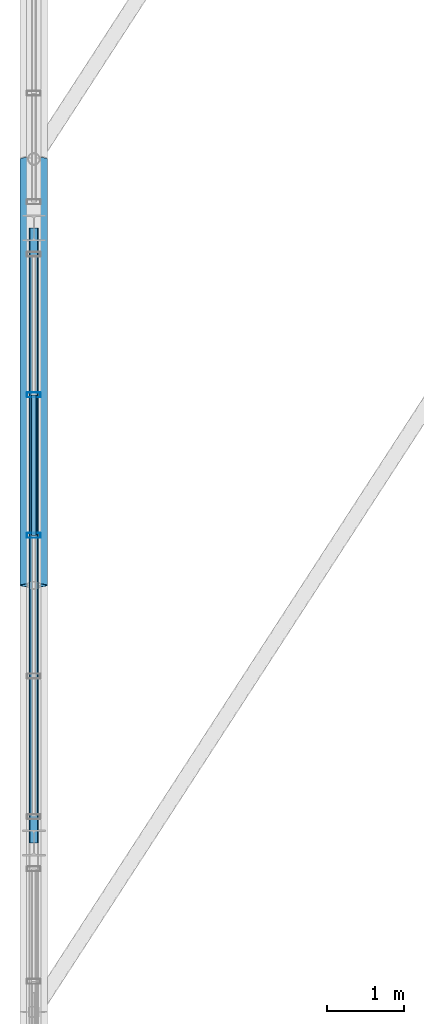
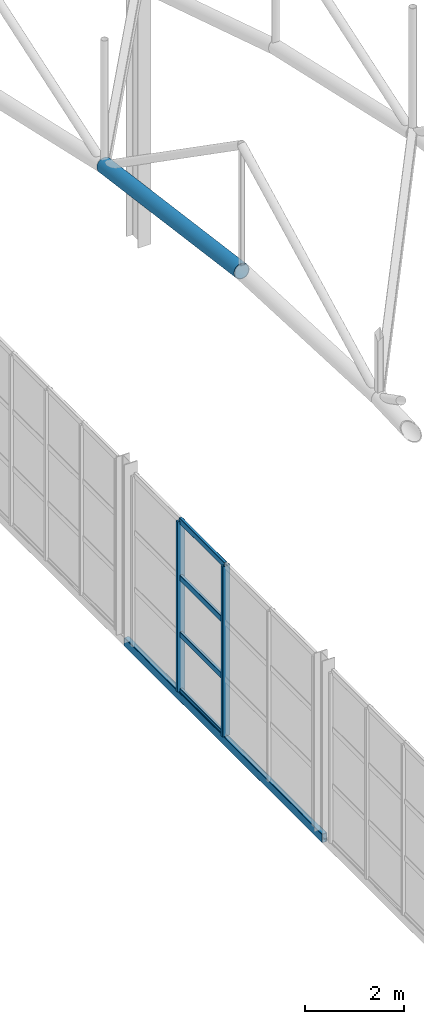
# One storey, part 45 of 153: 7 members, 1 beam, 1 element without a shape of its own.
"""IFC4 building model written with IfcOpenShell, lengths in metres."""

from ifc_helpers import new_model, si_unit, derived_unit, direction, frame, origin, origin_2d, place, context, subcontext, project, spatial, hollow_rectangle, hollow_circle, extrude, material, material_profile, profile_set, type_object, element, aggregate, save


model = new_model("IFC4")

# Units and contexts
model_context = context("Model", 3, precision=1e-05, world=origin(), true_north=direction((0.0, 1.0)))
body_context = subcontext(model_context, "Body", "Model", "MODEL_VIEW")
ifc_project = project(units=[si_unit("LENGTHUNIT", "METRE"), si_unit("AREAUNIT", "SQUARE_METRE"), si_unit("VOLUMEUNIT", "CUBIC_METRE"), si_unit("PLANEANGLEUNIT", "RADIAN"), si_unit("MASSUNIT", "GRAM", prefix="KILO"), derived_unit("THERMALTRANSMITTANCEUNIT", [(si_unit("POWERUNIT", "WATT"), 1), (si_unit("LENGTHUNIT", "METRE"), -2), (si_unit("THERMODYNAMICTEMPERATUREUNIT", "KELVIN"), -1)])], contexts=[model_context])

# Site, building, storey
site_placement = place(None, origin())
site = spatial("IfcSite", under=ifc_project, at=site_placement, CompositionType="ELEMENT")
building_placement = place(site_placement, origin())
building = spatial("IfcBuilding", under=site, at=building_placement, Name="Keldorne Ridge Multi-Sports Centre", CompositionType="ELEMENT")
storey_placement = place(building_placement, frame((0.0, 0.0, 9.60009765625)))
storey = spatial("IfcBuildingStorey", under=building, at=storey_placement, Name="L02", CompositionType="ELEMENT", Elevation=9.60009765625)

# Beam
ifc_material_1 = material(Name="Steel S355", Category="steel")
ifc_material_profile_1 = material_profile(ifc_material_1, hollow_rectangle(XDim=0.1201171875, YDim=0.219970703125, WallThickness=0.010009765625, InnerFilletRadius=0.010009765625, OuterFilletRadius=0.02001953125, at=origin_2d()), Name="RHS 220x120x10")
ifc_profile_set_1 = profile_set([ifc_material_profile_1], Name="Steel S355")
beam_type = type_object("IfcBeamType", Name="BM-SP-07", PredefinedType="SPANDREL", material=ifc_profile_set_1)
beam_placement = place(storey_placement, frame((6.0, 34.0, -0.110107421875), z_axis=(0.0, 1.0, 0.0), x_axis=(-1.0, 0.0, 0.0)))
element("IfcBeam", 1, at=beam_placement, inside=storey, type_object=beam_type, Name="Main Hall west gable spandrel L02.4", PredefinedType="SPANDREL", context=body_context, shape_type="SweptSolid", body=[
    extrude(hollow_rectangle(XDim=0.1201171875, YDim=0.219970703125, WallThickness=0.010009765625, InnerFilletRadius=0.010009765625, OuterFilletRadius=0.02001953125, at=origin_2d()), origin(), (0.0, 0.0, 1.0), 8.0),
])

# Curtain wall, members
ifc_material_2 = material(Name="Anodized aluminium", Category="aluminium")
curtain_wall_type = type_object("IfcCurtainWallType", Name="CW-CW-08", PredefinedType="NOTDEFINED", material=ifc_material_2)
curtain_wall_placement = place(storey_placement, origin())
curtain_wall = element("IfcCurtainWall", 2, at=curtain_wall_placement, inside=storey, type_object=curtain_wall_type, Name="Main Hall west high gable glazing 032", PredefinedType="NOTDEFINED")
ifc_material_profile_2 = material_profile(ifc_material_2, hollow_rectangle(XDim=0.06494140625, YDim=0.179931640625, WallThickness=0.00439453125, InnerFilletRadius=0.00439453125, OuterFilletRadius=0.009033203125, at=origin_2d()), Name="ALU MULLION 180x65x4.5")
ifc_profile_set_2 = profile_set([ifc_material_profile_2], Name="Anodized aluminium")
member_type_1 = type_object("IfcMemberType", Name="MEM-ML-01", PredefinedType="MULLION", material=ifc_profile_set_2)
member_1_placement = place(storey_placement, frame((6.0, 39.830078125, 0.0), z_axis=(0.0, 0.0, 1.0), x_axis=(0.0, 1.0, 0.0)))
member_1 = element("IfcMember", 3, at=member_1_placement, type_object=member_type_1, Name="CW-032 vertical mullion 2", PredefinedType="MULLION", context=body_context, shape_type="SweptSolid", body=[
    extrude(hollow_rectangle(XDim=0.06494140625, YDim=0.179931640625, WallThickness=0.00439453125, InnerFilletRadius=0.00439453125, OuterFilletRadius=0.009033203125, at=origin_2d()), origin(), (0.0, 0.0, 1.0), 4.199951171875),
])
member_2_placement = place(storey_placement, frame((6.0, 38.0, 0.0), z_axis=(0.0, 0.0, 1.0), x_axis=(0.0, 1.0, 0.0)))
member_2 = element("IfcMember", 4, at=member_2_placement, type_object=member_type_1, Name="CW-032 vertical mullion 3", PredefinedType="MULLION", context=body_context, shape_type="SweptSolid", body=[
    extrude(hollow_rectangle(XDim=0.06494140625, YDim=0.179931640625, WallThickness=0.00439453125, InnerFilletRadius=0.00439453125, OuterFilletRadius=0.009033203125, at=origin_2d()), origin(), (0.0, 0.0, 1.0), 4.199951171875),
])

# Member
ifc_material_profile_3 = material_profile(ifc_material_1, hollow_circle(Radius=0.177734375, WallThickness=0.01611328125, at=origin_2d()), Name="CHS 355.6x16")
ifc_profile_set_3 = profile_set([ifc_material_profile_3], Name="Steel S355")
member_type_2 = type_object("IfcMemberType", Name="MEM-TC-01", PredefinedType="CHORD", material=ifc_profile_set_3)
member_3_placement = place(storey_placement, frame((6.0, 37.35009765625, 11.849853515625), z_axis=(0.0, 0.990991804939, -0.133922524405), x_axis=(-1.0, 0.0, 0.0)))
element("IfcMember", 5, at=member_3_placement, inside=storey, type_object=member_type_2, Name="Main Hall ROOF TRUSS AT-01 bottom chord 6", PredefinedType="CHORD", context=body_context, shape_type="SweptSolid", body=[
    extrude(hollow_circle(Radius=0.177734375, WallThickness=0.01611328125, at=origin_2d()), origin(), (0.0, 0.0, 1.0), 5.600341796875),
])

ifc_material_profile_4 = material_profile(ifc_material_2, hollow_rectangle(XDim=0.06494140625, YDim=0.139892578125, WallThickness=0.00439453125, InnerFilletRadius=0.00439453125, OuterFilletRadius=0.009033203125, at=origin_2d()), Name="ALU TRANSOM 140x65x4.5")
ifc_profile_set_4 = profile_set([ifc_material_profile_4], Name="Anodized aluminium")
member_type_3 = type_object("IfcMemberType", Name="MEM-TR-01", PredefinedType="USERDEFINED", material=ifc_profile_set_4)
member_4_placement = place(storey_placement, frame((6.0, 39.830078125, 0.0), z_axis=(0.0, -1.0, 0.0), x_axis=(1.0, 0.0, 0.0)))
member_4 = element("IfcMember", 6, at=member_4_placement, type_object=member_type_3, Name="CW-032 transom 2.1", ObjectType="TRANSOM", PredefinedType="USERDEFINED", context=body_context, shape_type="SweptSolid", body=[
    extrude(hollow_rectangle(XDim=0.06494140625, YDim=0.139892578125, WallThickness=0.00439453125, InnerFilletRadius=0.00439453125, OuterFilletRadius=0.009033203125, at=origin_2d()), origin(), (0.0, 0.0, 1.0), 1.830078125),
])

member_5_placement = place(storey_placement, frame((6.0, 39.830078125, 1.39990234375), z_axis=(0.0, -1.0, 0.0), x_axis=(1.0, 0.0, 0.0)))
member_5 = element("IfcMember", 7, at=member_5_placement, type_object=member_type_3, Name="CW-032 transom 2.2", ObjectType="TRANSOM", PredefinedType="USERDEFINED", context=body_context, shape_type="SweptSolid", body=[
    extrude(hollow_rectangle(XDim=0.06494140625, YDim=0.139892578125, WallThickness=0.00439453125, InnerFilletRadius=0.00439453125, OuterFilletRadius=0.009033203125, at=origin_2d()), origin(), (0.0, 0.0, 1.0), 1.830078125),
])

member_6_placement = place(storey_placement, frame((6.0, 39.830078125, 2.7998046875), z_axis=(0.0, -1.0, 0.0), x_axis=(1.0, 0.0, 0.0)))
member_6 = element("IfcMember", 8, at=member_6_placement, type_object=member_type_3, Name="CW-032 transom 2.3", ObjectType="TRANSOM", PredefinedType="USERDEFINED", context=body_context, shape_type="SweptSolid", body=[
    extrude(hollow_rectangle(XDim=0.06494140625, YDim=0.139892578125, WallThickness=0.00439453125, InnerFilletRadius=0.00439453125, OuterFilletRadius=0.009033203125, at=origin_2d()), origin(), (0.0, 0.0, 1.0), 1.830078125),
])

member_7_placement = place(storey_placement, frame((6.0, 39.830078125, 4.199951171875), z_axis=(0.0, -1.0, 0.0), x_axis=(1.0, 0.0, 0.0)))
member_7 = element("IfcMember", 9, at=member_7_placement, type_object=member_type_3, Name="CW-032 transom 2.4", ObjectType="TRANSOM", PredefinedType="USERDEFINED", context=body_context, shape_type="SweptSolid", body=[
    extrude(hollow_rectangle(XDim=0.06494140625, YDim=0.139892578125, WallThickness=0.00439453125, InnerFilletRadius=0.00439453125, OuterFilletRadius=0.009033203125, at=origin_2d()), origin(), (0.0, 0.0, 1.0), 1.830078125),
])

aggregate(curtain_wall, [member_1, member_2, member_4, member_5, member_6, member_7])

save(model, "model.ifc")
